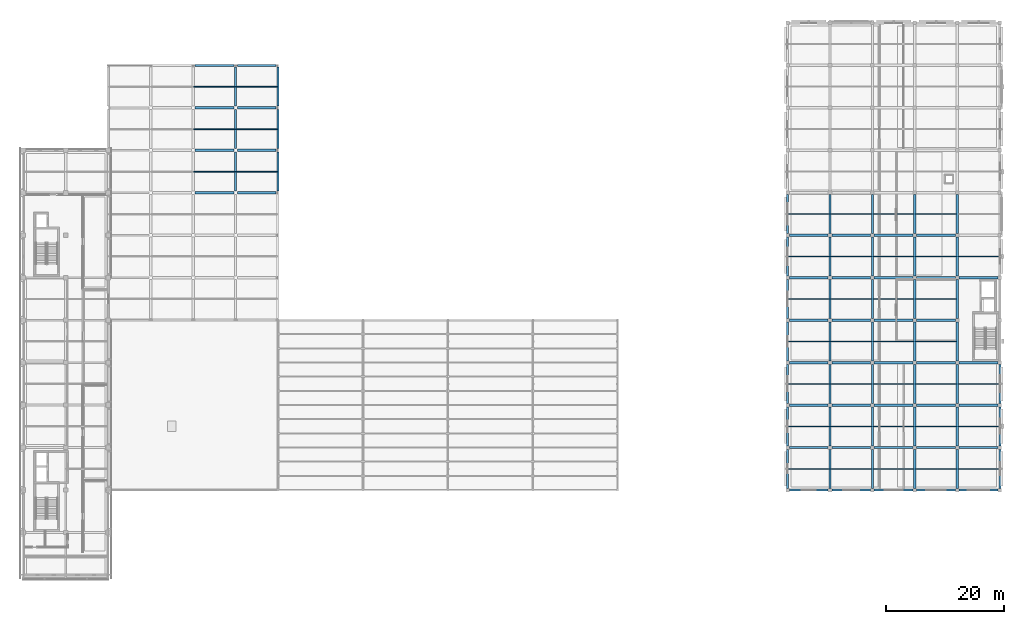
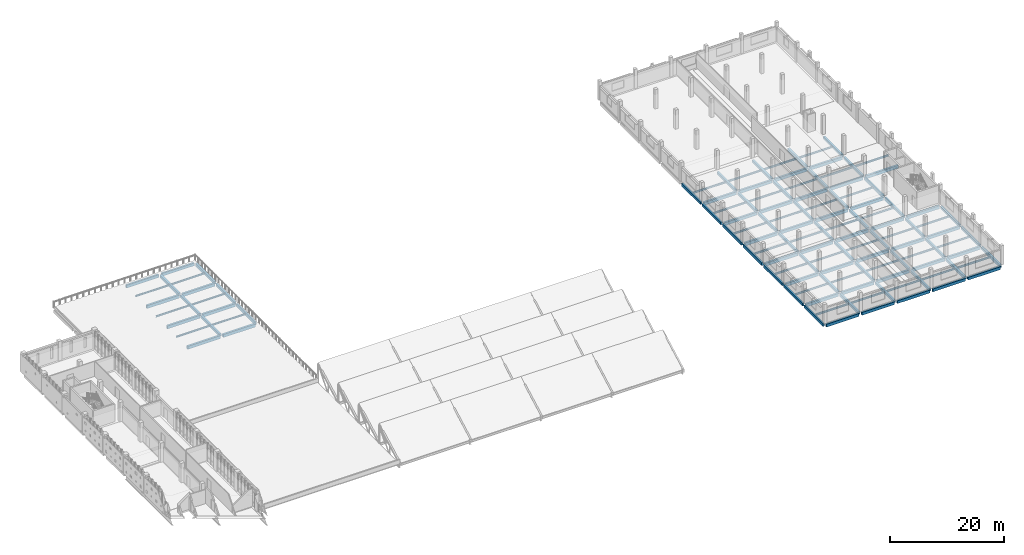
# One storey, part 23 of 51: 123 beams.
"""IFC4 building model written with IfcOpenShell, lengths in metres."""

import ifcopenshell
import ifcopenshell.guid

model = None  # the IFC model being written
_history = None  # IfcOwnerHistory: only IFC2X3 demands one
_inside = {}  # id of a spatial element -> (the spatial element, [elements in it])
_under = {}  # id of a project, library or spatial element -> (it, [spatial elements below it])
_declared = {}  # id of a project -> (the project, [libraries it declares])
_typed = {}  # id of a type object -> (the type object, [elements of that type])
_made_of = {}  # id of a material, layer set ... -> (it, [elements and type objects made of it])


def new_model(schema):
    """Start an empty IFC model of exactly this schema.

    Asked for "IFC4X3", IfcOpenShell would pick the latest addendum, in which some entities
    have other attributes; the version numbers below select the first issue.
    IFC2X3 requires an IfcOwnerHistory on every rooted entity: one is made here for all.
    """
    global model, _history
    if schema == "IFC4X3":
        model = ifcopenshell.file(schema_version=(4, 3, 0, 0))
    else:
        model = ifcopenshell.file(schema=schema)
    _inside.clear()
    _under.clear()
    _declared.clear()
    _typed.clear()
    _made_of.clear()
    _history = None
    if model.schema == "IFC2X3":
        org = make("IfcOrganization", Name="unknown")
        user = make(
            "IfcPersonAndOrganization",
            ThePerson=make("IfcPerson", FamilyName="unknown"),
            TheOrganization=org,
        )
        app = make(
            "IfcApplication",
            ApplicationDeveloper=org,
            Version="unknown",
            ApplicationFullName="unknown",
            ApplicationIdentifier="unknown",
        )
        _history = make(
            "IfcOwnerHistory",
            OwningUser=user,
            OwningApplication=app,
            ChangeAction="ADDED",
            CreationDate=0,
        )
    return model


def make(cls, **values):
    """One entity of the class cls with the attributes given. An attribute that is None is left unset."""
    return model.create_entity(
        cls, **{name: value for name, value in values.items() if value is not None}
    )


def rooted(cls, **values):
    """An entity with a GlobalId (a new one), such as an element, a storey or a relation."""
    return make(cls, GlobalId=ifcopenshell.guid.new(), OwnerHistory=_history, **values)


def si_unit(unit_type, name, prefix=None):
    """IfcSIUnit, for example si_unit("LENGTHUNIT", "METRE", prefix="MILLI")."""
    return make("IfcSIUnit", UnitType=unit_type, Prefix=prefix, Name=name)


def assignment(units):
    """IfcUnitAssignment: the units of a project."""
    return None if units is None else make("IfcUnitAssignment", Units=units)


def point(xyz):
    """IfcCartesianPoint."""
    return None if xyz is None else make("IfcCartesianPoint", Coordinates=xyz)


def direction(xyz):
    """IfcDirection."""
    return None if xyz is None else make("IfcDirection", DirectionRatios=xyz)


def frame(location, z_axis=None, x_axis=None):
    """IfcAxis2Placement3D, a coordinate frame: its origin and axes. An axis left out is left unset."""
    return make(
        "IfcAxis2Placement3D",
        Location=point(location),
        Axis=direction(z_axis),
        RefDirection=direction(x_axis),
    )


def frame_2d(location, x_axis=None):
    """IfcAxis2Placement2D, a coordinate frame in the plane: its origin and x axis."""
    return make(
        "IfcAxis2Placement2D", Location=point(location), RefDirection=direction(x_axis)
    )


def origin():
    """The frame at (0, 0, 0) with its axes left unset."""
    return frame((0.0, 0.0, 0.0))


def origin_2d():
    """The frame at (0, 0) in the plane with its x axis left unset."""
    return frame_2d((0.0, 0.0))


def place(relative_to, where):
    """IfcLocalPlacement: puts the frame where relative to a parent placement (None: the world)."""
    return make(
        "IfcLocalPlacement", PlacementRelTo=relative_to, RelativePlacement=where
    )


def context(
    kind, dimensions, precision=None, world=None, true_north=None, identifier=None
):
    """IfcGeometricRepresentationContext, for example the 3D "Model" context."""
    return make(
        "IfcGeometricRepresentationContext",
        ContextIdentifier=identifier,
        ContextType=kind,
        CoordinateSpaceDimension=dimensions,
        Precision=precision,
        WorldCoordinateSystem=world,
        TrueNorth=true_north,
    )


def subcontext(parent, identifier, kind, view, scale=None):
    """IfcGeometricRepresentationSubContext, for example "Body" below "Model"."""
    return make(
        "IfcGeometricRepresentationSubContext",
        ContextIdentifier=identifier,
        ContextType=kind,
        ParentContext=parent,
        TargetScale=scale,
        TargetView=view,
    )


def project(units=None, contexts=None):
    """IfcProject with its units and contexts."""
    return rooted(
        "IfcProject",
        Name="project",
        RepresentationContexts=contexts,
        UnitsInContext=assignment(units),
    )


def spatial(cls, under=None, at=None, **own):
    """A site, building, storey or space (cls), placed at a placement, below another one or the project."""
    s = rooted(cls, ObjectPlacement=at, **own)
    if under is not None:
        _under.setdefault(under.id(), (under, []))[1].append(s)
    return s


def profile(cls, at=None, kind="AREA", **sizes):
    """A parametric profile (cls). Its sizes go by their IFC names, for example OverallWidth=200.0."""
    return make(cls, ProfileType=kind, Position=at, **sizes)


def rectangle(**sizes):
    """IfcRectangleProfileDef."""
    return profile("IfcRectangleProfileDef", **sizes)


def i_section(**sizes):
    """IfcIShapeProfileDef."""
    return profile("IfcIShapeProfileDef", **sizes)


def extrude(swept, where, along, depth):
    """IfcExtrudedAreaSolid: the profile swept, set in the frame where, extruded along a direction by depth."""
    return make(
        "IfcExtrudedAreaSolid",
        SweptArea=swept,
        Position=where,
        ExtrudedDirection=direction(along),
        Depth=depth,
    )


def shape(context_of_items, identifier, shape_type, items):
    """IfcShapeRepresentation: the items that make up one representation, for example the "Body"."""
    return make(
        "IfcShapeRepresentation",
        ContextOfItems=context_of_items,
        RepresentationIdentifier=identifier,
        RepresentationType=shape_type,
        Items=items,
    )


def material(Name=None, Category=None):
    """IfcMaterial."""
    return make("IfcMaterial", Name=Name, Category=Category)


def material_profile(
    of_material, cross_section, Name=None, Category=None, Priority=None
):
    """IfcMaterialProfile: a cross section and its material."""
    return make(
        "IfcMaterialProfile",
        Name=Name,
        Material=of_material,
        Profile=cross_section,
        Priority=Priority,
        Category=Category,
    )


def profile_set(profiles, Name=None, composite=None):
    """IfcMaterialProfileSet."""
    return make(
        "IfcMaterialProfileSet",
        Name=Name,
        MaterialProfiles=profiles,
        CompositeProfile=composite,
    )


def made_of(thing, what):
    """Note that an element or type object is made of a material, layer set ...; save() writes the relation."""
    if what is not None:
        _made_of.setdefault(what.id(), (what, []))[1].append(thing)
    return thing


def type_object(cls, material=None, **own):
    """A type object (cls), such as IfcWallType, which elements share."""
    return made_of(rooted(cls, **own), material)


def element(
    cls,
    number,
    at=None,
    inside=None,
    cuts=None,
    type_object=None,
    material=None,
    context=None,
    identifier="Body",
    shape_type=None,
    held_by="IfcProductDefinitionShape",
    body=None,
    shapes=None,
    **own,
):
    """One element of the class cls, such as IfcWall. Its Tag is "e" and its number.

    at: its placement. inside: the storey or other place that contains it. cuts: it is an
    opening in that element (IfcRelVoidsElement). A single representation is given by context,
    identifier, shape_type and body (its items); several are given by shapes. held_by: the class
    of the entity that holds the representations. save() writes the other relations.
    """
    e = rooted(cls, Tag="e%d" % number, ObjectPlacement=at, **own)
    if body is not None:
        shapes = [shape(context, identifier, shape_type, body)]
    if shapes is not None:
        e.Representation = make(held_by, Representations=shapes)
    if inside is not None:
        _inside.setdefault(inside.id(), (inside, []))[1].append(e)
    if cuts is not None:
        rooted(
            "IfcRelVoidsElement", RelatingBuildingElement=cuts, RelatedOpeningElement=e
        )
    if type_object is not None:
        _typed.setdefault(type_object.id(), (type_object, []))[1].append(e)
    return made_of(e, material)


def aggregate(whole, parts):
    """IfcRelAggregates: a whole, such as a stair, and the parts it consists of."""
    return rooted("IfcRelAggregates", RelatingObject=whole, RelatedObjects=parts)


def save(model, path):
    """Write the relations noted so far, then the file.

    IfcRelAggregates (storeys below a building ...), IfcRelContainedInSpatialStructure (elements
    in a storey), IfcRelDefinesByType, IfcRelAssociatesMaterial and IfcRelDeclares: one each for
    every whole, place, type object, material and project.
    """
    for whole, parts in _under.values():
        aggregate(whole, parts)
    for where, things in _inside.values():
        rooted(
            "IfcRelContainedInSpatialStructure",
            RelatedElements=things,
            RelatingStructure=where,
        )
    for kind, things in _typed.values():
        rooted("IfcRelDefinesByType", RelatedObjects=things, RelatingType=kind)
    for what, things in _made_of.values():
        rooted("IfcRelAssociatesMaterial", RelatedObjects=things, RelatingMaterial=what)
    for by, libraries in _declared.values():
        rooted("IfcRelDeclares", RelatingContext=by, RelatedDefinitions=libraries)
    model.write(path)


model = new_model("IFC4")

# Units and contexts
model_context = context("Model", 3, precision=1e-05, world=origin(), true_north=direction((0.0, 1.0)))
body_context = subcontext(model_context, "Body", "Model", "MODEL_VIEW")
ifc_project = project(units=[si_unit("LENGTHUNIT", "METRE"), si_unit("AREAUNIT", "SQUARE_METRE"), si_unit("VOLUMEUNIT", "CUBIC_METRE"), si_unit("PLANEANGLEUNIT", "RADIAN"), si_unit("MASSUNIT", "GRAM", prefix="KILO")], contexts=[model_context])

# Site, building, storey
site_placement = place(None, origin())
site = spatial("IfcSite", under=ifc_project, at=site_placement, CompositionType="ELEMENT")
building_placement = place(site_placement, origin())
building = spatial("IfcBuilding", under=site, at=building_placement, Name="Valkovuoma Quantum and Materials Research Institute", CompositionType="ELEMENT")
storey_placement = place(building_placement, frame((0.0, 0.0, 17.280029296875)))
storey = spatial("IfcBuildingStorey", under=building, at=storey_placement, Name="L04", CompositionType="ELEMENT", Elevation=17.280029296875)

# Beams
ifc_material_1 = material(Name="Steel S355J2", Category="steel")
ifc_material_profile_1 = material_profile(ifc_material_1, i_section(OverallWidth=0.169921875, OverallDepth=0.360107421875, WebThickness=0.008056640625, FlangeThickness=0.0126953125, FilletRadius=0.01806640625, at=origin_2d()), Name="Steel S355J2")
ifc_profile_set_1 = profile_set([ifc_material_profile_1], Name="Steel S355J2")
beam_type_1 = type_object("IfcBeamType", Name="Beam-B-JST360", PredefinedType="JOIST", material=ifc_profile_set_1)
for number, where, z_axis, x_axis, name in (
    (1, (28.919921875, 90.0, -0.530029296875), (1.0, 0.0, 0.0), (0.0, 1.0, 0.0), "L04 floor joist 2078"),
    (2, (36.1201171875, 90.0, -0.530029296875), (1.0, 0.0, 0.0), (0.0, 1.0, 0.0), "L04 floor joist 2079"),
    (3, (28.919921875, 97.199951171875, -0.530029296875), (1.0, 0.0, 0.0), (0.0, 1.0, 0.0), "L04 floor joist 2087"),
    (4, (36.1201171875, 97.199951171875, -0.530029296875), (1.0, 0.0, 0.0), (0.0, 1.0, 0.0), "L04 floor joist 2088"),
    (5, (28.919921875, 104.39990234375, -0.530029296875), (1.0, 0.0, 0.0), (0.0, 1.0, 0.0), "L04 floor joist 2096"),
    (6, (36.1201171875, 104.39990234375, -0.530029296875), (1.0, 0.0, 0.0), (0.0, 1.0, 0.0), "L04 floor joist 2097"),
):
    element("IfcBeam", number, at=place(storey_placement, frame(where, z_axis=z_axis, x_axis=x_axis)), inside=storey, type_object=beam_type_1, Name=name, PredefinedType="JOIST", context=body_context, shape_type="SweptSolid", body=[
        extrude(i_section(OverallWidth=0.169921875, OverallDepth=0.360107421875, WebThickness=0.008056640625, FlangeThickness=0.0126953125, FilletRadius=0.01806640625, at=origin_2d()), origin(), (0.0, 0.0, 1.0), 6.9599609375),
    ])
ifc_material_2 = material(Name="Steel S355J2", Category="steel")
ifc_material_profile_2 = material_profile(ifc_material_2, i_section(OverallWidth=0.179931640625, OverallDepth=0.39990234375, WebThickness=0.008544921875, FlangeThickness=0.013427734375, FilletRadius=0.02099609375, at=origin_2d()), Name="Steel S355J2")
ifc_profile_set_2 = profile_set([ifc_material_profile_2], Name="Steel S355J2")
beam_type_2 = type_object("IfcBeamType", Name="Beam-B-JST400", PredefinedType="JOIST", material=ifc_profile_set_2)
for number, where, z_axis, x_axis, name in (
    (7, (129.719970703125, 39.60009765625, -0.550048828125), (1.0, 0.0, 0.0), (0.0, 1.0, 0.0), "L04 floor joist 2021"),
    (8, (136.919921875, 39.60009765625, -0.550048828125), (1.0, 0.0, 0.0), (0.0, 1.0, 0.0), "L04 floor joist 2022"),
    (9, (144.1201171875, 39.60009765625, -0.550048828125), (1.0, 0.0, 0.0), (0.0, 1.0, 0.0), "L04 floor joist 2023"),
    (10, (151.320068359375, 39.60009765625, -0.550048828125), (1.0, 0.0, 0.0), (0.0, 1.0, 0.0), "L04 floor joist 2024"),
    (11, (158.52001953125, 39.60009765625, -0.550048828125), (1.0, 0.0, 0.0), (0.0, 1.0, 0.0), "L04 floor joist 2025"),
    (12, (129.719970703125, 46.800048828125, -0.550048828125), (1.0, 0.0, 0.0), (0.0, 1.0, 0.0), "L04 floor joist 2028"),
    (13, (136.919921875, 46.800048828125, -0.550048828125), (1.0, 0.0, 0.0), (0.0, 1.0, 0.0), "L04 floor joist 2029"),
    (14, (144.1201171875, 46.800048828125, -0.550048828125), (1.0, 0.0, 0.0), (0.0, 1.0, 0.0), "L04 floor joist 2030"),
    (15, (151.320068359375, 46.800048828125, -0.550048828125), (1.0, 0.0, 0.0), (0.0, 1.0, 0.0), "L04 floor joist 2031"),
    (16, (158.52001953125, 46.800048828125, -0.550048828125), (1.0, 0.0, 0.0), (0.0, 1.0, 0.0), "L04 floor joist 2032"),
    (17, (129.719970703125, 54.0, -0.550048828125), (1.0, 0.0, 0.0), (0.0, 1.0, 0.0), "L04 floor joist 2035"),
    (18, (136.919921875, 54.0, -0.550048828125), (1.0, 0.0, 0.0), (0.0, 1.0, 0.0), "L04 floor joist 2036"),
    (19, (144.1201171875, 54.0, -0.550048828125), (1.0, 0.0, 0.0), (0.0, 1.0, 0.0), "L04 floor joist 2037"),
    (20, (151.320068359375, 54.0, -0.550048828125), (1.0, 0.0, 0.0), (0.0, 1.0, 0.0), "L04 floor joist 2038"),
    (21, (158.52001953125, 54.0, -0.550048828125), (1.0, 0.0, 0.0), (0.0, 1.0, 0.0), "L04 floor joist 2039"),
    (22, (129.719970703125, 61.199951171875, -0.550048828125), (1.0, 0.0, 0.0), (0.0, 1.0, 0.0), "L04 floor joist 2042"),
    (23, (136.919921875, 61.199951171875, -0.550048828125), (1.0, 0.0, 0.0), (0.0, 1.0, 0.0), "L04 floor joist 2043"),
    (24, (144.1201171875, 61.199951171875, -0.550048828125), (1.0, 0.0, 0.0), (0.0, 1.0, 0.0), "L04 floor joist 2044"),
    (25, (151.320068359375, 61.199951171875, -0.550048828125), (1.0, 0.0, 0.0), (0.0, 1.0, 0.0), "L04 floor joist 2045"),
    (26, (129.719970703125, 68.39990234375, -0.550048828125), (1.0, 0.0, 0.0), (0.0, 1.0, 0.0), "L04 floor joist 2052"),
    (27, (136.919921875, 68.39990234375, -0.550048828125), (1.0, 0.0, 0.0), (0.0, 1.0, 0.0), "L04 floor joist 2053"),
    (28, (144.1201171875, 68.39990234375, -0.550048828125), (1.0, 0.0, 0.0), (0.0, 1.0, 0.0), "L04 floor joist 2054"),
    (29, (151.320068359375, 68.39990234375, -0.550048828125), (1.0, 0.0, 0.0), (0.0, 1.0, 0.0), "L04 floor joist 2055"),
    (30, (129.719970703125, 75.60009765625, -0.550048828125), (1.0, 0.0, 0.0), (0.0, 1.0, 0.0), "L04 floor joist 2060"),
    (31, (136.919921875, 75.60009765625, -0.550048828125), (1.0, 0.0, 0.0), (0.0, 1.0, 0.0), "L04 floor joist 2061"),
    (32, (144.1201171875, 75.60009765625, -0.550048828125), (1.0, 0.0, 0.0), (0.0, 1.0, 0.0), "L04 floor joist 2062"),
    (33, (151.320068359375, 75.60009765625, -0.550048828125), (1.0, 0.0, 0.0), (0.0, 1.0, 0.0), "L04 floor joist 2063"),
    (34, (158.52001953125, 75.60009765625, -0.550048828125), (1.0, 0.0, 0.0), (0.0, 1.0, 0.0), "L04 floor joist 2064"),
    (35, (129.719970703125, 82.800048828125, -0.550048828125), (1.0, 0.0, 0.0), (0.0, 1.0, 0.0), "L04 floor joist 2069"),
    (36, (136.919921875, 82.800048828125, -0.550048828125), (1.0, 0.0, 0.0), (0.0, 1.0, 0.0), "L04 floor joist 2070"),
    (37, (144.1201171875, 82.800048828125, -0.550048828125), (1.0, 0.0, 0.0), (0.0, 1.0, 0.0), "L04 floor joist 2071"),
    (38, (151.320068359375, 82.800048828125, -0.550048828125), (1.0, 0.0, 0.0), (0.0, 1.0, 0.0), "L04 floor joist 2072"),
):
    element("IfcBeam", number, at=place(storey_placement, frame(where, z_axis=z_axis, x_axis=x_axis)), inside=storey, type_object=beam_type_2, Name=name, PredefinedType="JOIST", context=body_context, shape_type="SweptSolid", body=[
        extrude(i_section(OverallWidth=0.179931640625, OverallDepth=0.39990234375, WebThickness=0.008544921875, FlangeThickness=0.013427734375, FilletRadius=0.02099609375, at=origin_2d()), origin(), (0.0, 0.0, 1.0), 6.9599609375),
    ])
ifc_material_3 = material(Name="Concrete C40/50", Category="concrete")
ifc_material_profile_3 = material_profile(ifc_material_3, rectangle(XDim=0.39990234375, YDim=0.550048828125, at=origin_2d()), Name="Concrete C40/50")
ifc_profile_set_3 = profile_set([ifc_material_profile_3], Name="Concrete C40/50")
beam_type_3 = type_object("IfcBeamType", Name="Beam-B-RC550", PredefinedType="BEAM", material=ifc_profile_set_3)
for number, where, z_axis, x_axis, name in (
    (39, (36.0, 86.699951171875, -0.625), (0.0, 1.0, 0.0), (-1.0, 0.0, 0.0), "L04 beam Y-1947"),
    (40, (36.0, 93.89990234375, -0.625), (0.0, 1.0, 0.0), (-1.0, 0.0, 0.0), "L04 beam Y-1948"),
):
    element("IfcBeam", number, at=place(storey_placement, frame(where, z_axis=z_axis, x_axis=x_axis)), inside=storey, type_object=beam_type_3, Name=name, PredefinedType="BEAM", context=body_context, shape_type="SweptSolid", body=[
        extrude(rectangle(XDim=0.39990234375, YDim=0.550048828125, at=origin_2d()), origin(), (0.0, 0.0, 1.0), 6.60009765625),
    ])
for number, where, z_axis, x_axis, name in (
    (41, (36.0, 101.10009765625, -0.625), (0.0, 1.0, 0.0), (-1.0, 0.0, 0.0), "L04 beam Y-1949"),
    (42, (136.800048828125, 36.300048828125, -0.625), (0.0, 1.0, 0.0), (-1.0, 0.0, 0.0), "L04 beam Y-1967"),
):
    element("IfcBeam", number, at=place(storey_placement, frame(where, z_axis=z_axis, x_axis=x_axis)), inside=storey, type_object=beam_type_3, Name=name, PredefinedType="BEAM", context=body_context, shape_type="SweptSolid", body=[
        extrude(rectangle(XDim=0.39990234375, YDim=0.550048828125, at=origin_2d()), origin(), (0.0, 0.0, 1.0), 6.599853515625),
    ])
for number, where, z_axis, x_axis, name in (
    (43, (136.800048828125, 43.5, -0.625), (0.0, 1.0, 0.0), (-1.0, 0.0, 0.0), "L04 beam Y-1968"),
    (44, (136.800048828125, 50.699951171875, -0.625), (0.0, 1.0, 0.0), (-1.0, 0.0, 0.0), "L04 beam Y-1969"),
    (45, (136.800048828125, 57.89990234375, -0.625), (0.0, 1.0, 0.0), (-1.0, 0.0, 0.0), "L04 beam Y-1970"),
):
    element("IfcBeam", number, at=place(storey_placement, frame(where, z_axis=z_axis, x_axis=x_axis)), inside=storey, type_object=beam_type_3, Name=name, PredefinedType="BEAM", context=body_context, shape_type="SweptSolid", body=[
        extrude(rectangle(XDim=0.39990234375, YDim=0.550048828125, at=origin_2d()), origin(), (0.0, 0.0, 1.0), 6.60009765625),
    ])
for number, where, z_axis, x_axis, name in (
    (46, (136.800048828125, 65.10009765625, -0.625), (0.0, 1.0, 0.0), (-1.0, 0.0, 0.0), "L04 beam Y-1971"),
    (47, (136.800048828125, 72.300048828125, -0.625), (0.0, 1.0, 0.0), (-1.0, 0.0, 0.0), "L04 beam Y-1972"),
):
    element("IfcBeam", number, at=place(storey_placement, frame(where, z_axis=z_axis, x_axis=x_axis)), inside=storey, type_object=beam_type_3, Name=name, PredefinedType="BEAM", context=body_context, shape_type="SweptSolid", body=[
        extrude(rectangle(XDim=0.39990234375, YDim=0.550048828125, at=origin_2d()), origin(), (0.0, 0.0, 1.0), 6.599853515625),
    ])
beam_1_placement = place(storey_placement, frame((136.800048828125, 79.5, -0.625), z_axis=(0.0, 1.0, 0.0), x_axis=(-1.0, 0.0, 0.0)))
element("IfcBeam", 48, at=beam_1_placement, inside=storey, type_object=beam_type_3, Name="L04 beam Y-1973", PredefinedType="BEAM", context=body_context, shape_type="SweptSolid", body=[
    extrude(rectangle(XDim=0.39990234375, YDim=0.550048828125, at=origin_2d()), origin(), (0.0, 0.0, 1.0), 6.60009765625),
])
beam_2_placement = place(storey_placement, frame((144.0, 36.300048828125, -0.625), z_axis=(0.0, 1.0, 0.0), x_axis=(-1.0, 0.0, 0.0)))
element("IfcBeam", 49, at=beam_2_placement, inside=storey, type_object=beam_type_3, Name="L04 beam Y-1978", PredefinedType="BEAM", context=body_context, shape_type="SweptSolid", body=[
    extrude(rectangle(XDim=0.39990234375, YDim=0.550048828125, at=origin_2d()), origin(), (0.0, 0.0, 1.0), 6.599853515625),
])
for number, where, z_axis, x_axis, name in (
    (50, (144.0, 43.5, -0.625), (0.0, 1.0, 0.0), (-1.0, 0.0, 0.0), "L04 beam Y-1979"),
    (51, (144.0, 50.699951171875, -0.625), (0.0, 1.0, 0.0), (-1.0, 0.0, 0.0), "L04 beam Y-1980"),
    (52, (144.0, 57.89990234375, -0.625), (0.0, 1.0, 0.0), (-1.0, 0.0, 0.0), "L04 beam Y-1981"),
):
    element("IfcBeam", number, at=place(storey_placement, frame(where, z_axis=z_axis, x_axis=x_axis)), inside=storey, type_object=beam_type_3, Name=name, PredefinedType="BEAM", context=body_context, shape_type="SweptSolid", body=[
        extrude(rectangle(XDim=0.39990234375, YDim=0.550048828125, at=origin_2d()), origin(), (0.0, 0.0, 1.0), 6.60009765625),
    ])
for number, where, z_axis, x_axis, name in (
    (53, (144.0, 65.10009765625, -0.625), (0.0, 1.0, 0.0), (-1.0, 0.0, 0.0), "L04 beam Y-1982"),
    (54, (144.0, 72.300048828125, -0.625), (0.0, 1.0, 0.0), (-1.0, 0.0, 0.0), "L04 beam Y-1983"),
):
    element("IfcBeam", number, at=place(storey_placement, frame(where, z_axis=z_axis, x_axis=x_axis)), inside=storey, type_object=beam_type_3, Name=name, PredefinedType="BEAM", context=body_context, shape_type="SweptSolid", body=[
        extrude(rectangle(XDim=0.39990234375, YDim=0.550048828125, at=origin_2d()), origin(), (0.0, 0.0, 1.0), 6.599853515625),
    ])
beam_3_placement = place(storey_placement, frame((144.0, 79.5, -0.625), z_axis=(0.0, 1.0, 0.0), x_axis=(-1.0, 0.0, 0.0)))
element("IfcBeam", 55, at=beam_3_placement, inside=storey, type_object=beam_type_3, Name="L04 beam Y-1984", PredefinedType="BEAM", context=body_context, shape_type="SweptSolid", body=[
    extrude(rectangle(XDim=0.39990234375, YDim=0.550048828125, at=origin_2d()), origin(), (0.0, 0.0, 1.0), 6.60009765625),
])
beam_4_placement = place(storey_placement, frame((151.199951171875, 36.300048828125, -0.625), z_axis=(0.0, 1.0, 0.0), x_axis=(-1.0, 0.0, 0.0)))
element("IfcBeam", 56, at=beam_4_placement, inside=storey, type_object=beam_type_3, Name="L04 beam Y-1989", PredefinedType="BEAM", context=body_context, shape_type="SweptSolid", body=[
    extrude(rectangle(XDim=0.39990234375, YDim=0.550048828125, at=origin_2d()), origin(), (0.0, 0.0, 1.0), 6.599853515625),
])
for number, where, z_axis, x_axis, name in (
    (57, (151.199951171875, 43.5, -0.625), (0.0, 1.0, 0.0), (-1.0, 0.0, 0.0), "L04 beam Y-1990"),
    (58, (151.199951171875, 50.699951171875, -0.625), (0.0, 1.0, 0.0), (-1.0, 0.0, 0.0), "L04 beam Y-1991"),
    (59, (151.199951171875, 57.89990234375, -0.625), (0.0, 1.0, 0.0), (-1.0, 0.0, 0.0), "L04 beam Y-1992"),
):
    element("IfcBeam", number, at=place(storey_placement, frame(where, z_axis=z_axis, x_axis=x_axis)), inside=storey, type_object=beam_type_3, Name=name, PredefinedType="BEAM", context=body_context, shape_type="SweptSolid", body=[
        extrude(rectangle(XDim=0.39990234375, YDim=0.550048828125, at=origin_2d()), origin(), (0.0, 0.0, 1.0), 6.60009765625),
    ])
for number, where, z_axis, x_axis, name in (
    (60, (151.199951171875, 65.10009765625, -0.625), (0.0, 1.0, 0.0), (-1.0, 0.0, 0.0), "L04 beam Y-1993"),
    (61, (151.199951171875, 72.300048828125, -0.625), (0.0, 1.0, 0.0), (-1.0, 0.0, 0.0), "L04 beam Y-1994"),
):
    element("IfcBeam", number, at=place(storey_placement, frame(where, z_axis=z_axis, x_axis=x_axis)), inside=storey, type_object=beam_type_3, Name=name, PredefinedType="BEAM", context=body_context, shape_type="SweptSolid", body=[
        extrude(rectangle(XDim=0.39990234375, YDim=0.550048828125, at=origin_2d()), origin(), (0.0, 0.0, 1.0), 6.599853515625),
    ])
beam_5_placement = place(storey_placement, frame((151.199951171875, 79.5, -0.625), z_axis=(0.0, 1.0, 0.0), x_axis=(-1.0, 0.0, 0.0)))
element("IfcBeam", 62, at=beam_5_placement, inside=storey, type_object=beam_type_3, Name="L04 beam Y-1995", PredefinedType="BEAM", context=body_context, shape_type="SweptSolid", body=[
    extrude(rectangle(XDim=0.39990234375, YDim=0.550048828125, at=origin_2d()), origin(), (0.0, 0.0, 1.0), 6.60009765625),
])
beam_6_placement = place(storey_placement, frame((158.39990234375, 36.300048828125, -0.625), z_axis=(0.0, 1.0, 0.0), x_axis=(-1.0, 0.0, 0.0)))
element("IfcBeam", 63, at=beam_6_placement, inside=storey, type_object=beam_type_3, Name="L04 beam Y-2000", PredefinedType="BEAM", context=body_context, shape_type="SweptSolid", body=[
    extrude(rectangle(XDim=0.39990234375, YDim=0.550048828125, at=origin_2d()), origin(), (0.0, 0.0, 1.0), 6.599853515625),
])
for number, where, z_axis, x_axis, name in (
    (64, (158.39990234375, 43.5, -0.625), (0.0, 1.0, 0.0), (-1.0, 0.0, 0.0), "L04 beam Y-2001"),
    (65, (158.39990234375, 50.699951171875, -0.625), (0.0, 1.0, 0.0), (-1.0, 0.0, 0.0), "L04 beam Y-2002"),
    (66, (158.39990234375, 57.89990234375, -0.625), (0.0, 1.0, 0.0), (-1.0, 0.0, 0.0), "L04 beam Y-2003"),
):
    element("IfcBeam", number, at=place(storey_placement, frame(where, z_axis=z_axis, x_axis=x_axis)), inside=storey, type_object=beam_type_3, Name=name, PredefinedType="BEAM", context=body_context, shape_type="SweptSolid", body=[
        extrude(rectangle(XDim=0.39990234375, YDim=0.550048828125, at=origin_2d()), origin(), (0.0, 0.0, 1.0), 6.60009765625),
    ])
for number, where, z_axis, x_axis, name in (
    (67, (158.39990234375, 65.10009765625, -0.625), (0.0, 1.0, 0.0), (-1.0, 0.0, 0.0), "L04 beam Y-2004"),
    (68, (158.39990234375, 72.300048828125, -0.625), (0.0, 1.0, 0.0), (-1.0, 0.0, 0.0), "L04 beam Y-2005"),
):
    element("IfcBeam", number, at=place(storey_placement, frame(where, z_axis=z_axis, x_axis=x_axis)), inside=storey, type_object=beam_type_3, Name=name, PredefinedType="BEAM", context=body_context, shape_type="SweptSolid", body=[
        extrude(rectangle(XDim=0.39990234375, YDim=0.550048828125, at=origin_2d()), origin(), (0.0, 0.0, 1.0), 6.599853515625),
    ])
beam_7_placement = place(storey_placement, frame((158.39990234375, 79.5, -0.625), z_axis=(0.0, 1.0, 0.0), x_axis=(-1.0, 0.0, 0.0)))
element("IfcBeam", 69, at=beam_7_placement, inside=storey, type_object=beam_type_3, Name="L04 beam Y-2006", PredefinedType="BEAM", context=body_context, shape_type="SweptSolid", body=[
    extrude(rectangle(XDim=0.39990234375, YDim=0.550048828125, at=origin_2d()), origin(), (0.0, 0.0, 1.0), 6.60009765625),
])
ifc_material_4 = material(Name="Concrete C40/50", Category="concrete")
ifc_material_profile_4 = material_profile(ifc_material_4, rectangle(XDim=0.39990234375, YDim=0.64990234375, at=origin_2d()), Name="Concrete C40/50")
ifc_profile_set_4 = profile_set([ifc_material_profile_4], Name="Concrete C40/50")
beam_type_4 = type_object("IfcBeamType", Name="Beam-B-RC650", PredefinedType="BEAM", material=ifc_profile_set_4)
beam_8_placement = place(storey_placement, frame((129.89990234375, 43.199951171875, -0.675048828125), z_axis=(1.0, 0.0, 0.0), x_axis=(0.0, 1.0, 0.0)))
element("IfcBeam", 70, at=beam_8_placement, inside=storey, type_object=beam_type_4, Name="L04 beam X-1823", PredefinedType="BEAM", context=body_context, shape_type="SweptSolid", body=[
    extrude(rectangle(XDim=0.39990234375, YDim=0.64990234375, at=origin_2d()), origin(), (0.0, 0.0, 1.0), 6.60009765625),
])
for number, where, z_axis, x_axis, name in (
    (71, (137.10009765625, 43.199951171875, -0.675048828125), (1.0, 0.0, 0.0), (0.0, 1.0, 0.0), "L04 beam X-1824"),
    (72, (144.300048828125, 43.199951171875, -0.675048828125), (1.0, 0.0, 0.0), (0.0, 1.0, 0.0), "L04 beam X-1825"),
):
    element("IfcBeam", number, at=place(storey_placement, frame(where, z_axis=z_axis, x_axis=x_axis)), inside=storey, type_object=beam_type_4, Name=name, PredefinedType="BEAM", context=body_context, shape_type="SweptSolid", body=[
        extrude(rectangle(XDim=0.39990234375, YDim=0.64990234375, at=origin_2d()), origin(), (0.0, 0.0, 1.0), 6.599853515625),
    ])
for number, where, z_axis, x_axis, name in (
    (73, (151.5, 43.199951171875, -0.675048828125), (1.0, 0.0, 0.0), (0.0, 1.0, 0.0), "L04 beam X-1826"),
    (74, (158.699951171875, 43.199951171875, -0.675048828125), (1.0, 0.0, 0.0), (0.0, 1.0, 0.0), "L04 beam X-1827"),
    (75, (129.89990234375, 50.39990234375, -0.675048828125), (1.0, 0.0, 0.0), (0.0, 1.0, 0.0), "L04 beam X-1830"),
):
    element("IfcBeam", number, at=place(storey_placement, frame(where, z_axis=z_axis, x_axis=x_axis)), inside=storey, type_object=beam_type_4, Name=name, PredefinedType="BEAM", context=body_context, shape_type="SweptSolid", body=[
        extrude(rectangle(XDim=0.39990234375, YDim=0.64990234375, at=origin_2d()), origin(), (0.0, 0.0, 1.0), 6.60009765625),
    ])
for number, where, z_axis, x_axis, name in (
    (76, (137.10009765625, 50.39990234375, -0.675048828125), (1.0, 0.0, 0.0), (0.0, 1.0, 0.0), "L04 beam X-1831"),
    (77, (144.300048828125, 50.39990234375, -0.675048828125), (1.0, 0.0, 0.0), (0.0, 1.0, 0.0), "L04 beam X-1832"),
):
    element("IfcBeam", number, at=place(storey_placement, frame(where, z_axis=z_axis, x_axis=x_axis)), inside=storey, type_object=beam_type_4, Name=name, PredefinedType="BEAM", context=body_context, shape_type="SweptSolid", body=[
        extrude(rectangle(XDim=0.39990234375, YDim=0.64990234375, at=origin_2d()), origin(), (0.0, 0.0, 1.0), 6.599853515625),
    ])
for number, where, z_axis, x_axis, name in (
    (78, (151.5, 50.39990234375, -0.675048828125), (1.0, 0.0, 0.0), (0.0, 1.0, 0.0), "L04 beam X-1833"),
    (79, (158.699951171875, 50.39990234375, -0.675048828125), (1.0, 0.0, 0.0), (0.0, 1.0, 0.0), "L04 beam X-1834"),
    (80, (129.89990234375, 57.60009765625, -0.675048828125), (1.0, 0.0, 0.0), (0.0, 1.0, 0.0), "L04 beam X-1837"),
):
    element("IfcBeam", number, at=place(storey_placement, frame(where, z_axis=z_axis, x_axis=x_axis)), inside=storey, type_object=beam_type_4, Name=name, PredefinedType="BEAM", context=body_context, shape_type="SweptSolid", body=[
        extrude(rectangle(XDim=0.39990234375, YDim=0.64990234375, at=origin_2d()), origin(), (0.0, 0.0, 1.0), 6.60009765625),
    ])
for number, where, z_axis, x_axis, name in (
    (81, (137.10009765625, 57.60009765625, -0.675048828125), (1.0, 0.0, 0.0), (0.0, 1.0, 0.0), "L04 beam X-1838"),
    (82, (144.300048828125, 57.60009765625, -0.675048828125), (1.0, 0.0, 0.0), (0.0, 1.0, 0.0), "L04 beam X-1839"),
):
    element("IfcBeam", number, at=place(storey_placement, frame(where, z_axis=z_axis, x_axis=x_axis)), inside=storey, type_object=beam_type_4, Name=name, PredefinedType="BEAM", context=body_context, shape_type="SweptSolid", body=[
        extrude(rectangle(XDim=0.39990234375, YDim=0.64990234375, at=origin_2d()), origin(), (0.0, 0.0, 1.0), 6.599853515625),
    ])
for number, where, z_axis, x_axis, name in (
    (83, (151.5, 57.60009765625, -0.675048828125), (1.0, 0.0, 0.0), (0.0, 1.0, 0.0), "L04 beam X-1840"),
    (84, (158.699951171875, 57.60009765625, -0.675048828125), (1.0, 0.0, 0.0), (0.0, 1.0, 0.0), "L04 beam X-1841"),
    (85, (129.89990234375, 64.800048828125, -0.675048828125), (1.0, 0.0, 0.0), (0.0, 1.0, 0.0), "L04 beam X-1848"),
):
    element("IfcBeam", number, at=place(storey_placement, frame(where, z_axis=z_axis, x_axis=x_axis)), inside=storey, type_object=beam_type_4, Name=name, PredefinedType="BEAM", context=body_context, shape_type="SweptSolid", body=[
        extrude(rectangle(XDim=0.39990234375, YDim=0.64990234375, at=origin_2d()), origin(), (0.0, 0.0, 1.0), 6.60009765625),
    ])
for number, where, z_axis, x_axis, name in (
    (86, (137.10009765625, 64.800048828125, -0.675048828125), (1.0, 0.0, 0.0), (0.0, 1.0, 0.0), "L04 beam X-1849"),
    (87, (144.300048828125, 64.800048828125, -0.675048828125), (1.0, 0.0, 0.0), (0.0, 1.0, 0.0), "L04 beam X-1850"),
):
    element("IfcBeam", number, at=place(storey_placement, frame(where, z_axis=z_axis, x_axis=x_axis)), inside=storey, type_object=beam_type_4, Name=name, PredefinedType="BEAM", context=body_context, shape_type="SweptSolid", body=[
        extrude(rectangle(XDim=0.39990234375, YDim=0.64990234375, at=origin_2d()), origin(), (0.0, 0.0, 1.0), 6.599853515625),
    ])
for number, where, z_axis, x_axis, name in (
    (88, (151.5, 64.800048828125, -0.675048828125), (1.0, 0.0, 0.0), (0.0, 1.0, 0.0), "L04 beam X-1851"),
    (89, (129.89990234375, 72.0, -0.675048828125), (1.0, 0.0, 0.0), (0.0, 1.0, 0.0), "L04 beam X-1858"),
):
    element("IfcBeam", number, at=place(storey_placement, frame(where, z_axis=z_axis, x_axis=x_axis)), inside=storey, type_object=beam_type_4, Name=name, PredefinedType="BEAM", context=body_context, shape_type="SweptSolid", body=[
        extrude(rectangle(XDim=0.39990234375, YDim=0.64990234375, at=origin_2d()), origin(), (0.0, 0.0, 1.0), 6.60009765625),
    ])
for number, where, z_axis, x_axis, name in (
    (90, (137.10009765625, 72.0, -0.675048828125), (1.0, 0.0, 0.0), (0.0, 1.0, 0.0), "L04 beam X-1859"),
    (91, (144.300048828125, 72.0, -0.675048828125), (1.0, 0.0, 0.0), (0.0, 1.0, 0.0), "L04 beam X-1860"),
):
    element("IfcBeam", number, at=place(storey_placement, frame(where, z_axis=z_axis, x_axis=x_axis)), inside=storey, type_object=beam_type_4, Name=name, PredefinedType="BEAM", context=body_context, shape_type="SweptSolid", body=[
        extrude(rectangle(XDim=0.39990234375, YDim=0.64990234375, at=origin_2d()), origin(), (0.0, 0.0, 1.0), 6.599853515625),
    ])
for number, where, z_axis, x_axis, name in (
    (92, (151.5, 72.0, -0.675048828125), (1.0, 0.0, 0.0), (0.0, 1.0, 0.0), "L04 beam X-1861"),
    (93, (158.699951171875, 72.0, -0.675048828125), (1.0, 0.0, 0.0), (0.0, 1.0, 0.0), "L04 beam X-1862"),
    (94, (129.89990234375, 79.199951171875, -0.675048828125), (1.0, 0.0, 0.0), (0.0, 1.0, 0.0), "L04 beam X-1867"),
):
    element("IfcBeam", number, at=place(storey_placement, frame(where, z_axis=z_axis, x_axis=x_axis)), inside=storey, type_object=beam_type_4, Name=name, PredefinedType="BEAM", context=body_context, shape_type="SweptSolid", body=[
        extrude(rectangle(XDim=0.39990234375, YDim=0.64990234375, at=origin_2d()), origin(), (0.0, 0.0, 1.0), 6.60009765625),
    ])
for number, where, z_axis, x_axis, name in (
    (95, (137.10009765625, 79.199951171875, -0.675048828125), (1.0, 0.0, 0.0), (0.0, 1.0, 0.0), "L04 beam X-1868"),
    (96, (144.300048828125, 79.199951171875, -0.675048828125), (1.0, 0.0, 0.0), (0.0, 1.0, 0.0), "L04 beam X-1869"),
):
    element("IfcBeam", number, at=place(storey_placement, frame(where, z_axis=z_axis, x_axis=x_axis)), inside=storey, type_object=beam_type_4, Name=name, PredefinedType="BEAM", context=body_context, shape_type="SweptSolid", body=[
        extrude(rectangle(XDim=0.39990234375, YDim=0.64990234375, at=origin_2d()), origin(), (0.0, 0.0, 1.0), 6.599853515625),
    ])
beam_9_placement = place(storey_placement, frame((151.5, 79.199951171875, -0.675048828125), z_axis=(1.0, 0.0, 0.0), x_axis=(0.0, 1.0, 0.0)))
element("IfcBeam", 97, at=beam_9_placement, inside=storey, type_object=beam_type_4, Name="L04 beam X-1870", PredefinedType="BEAM", context=body_context, shape_type="SweptSolid", body=[
    extrude(rectangle(XDim=0.39990234375, YDim=0.64990234375, at=origin_2d()), origin(), (0.0, 0.0, 1.0), 6.60009765625),
])
for number, where, z_axis, x_axis, name in (
    (98, (29.10009765625, 86.39990234375, -0.675048828125), (1.0, 0.0, 0.0), (0.0, 1.0, 0.0), "L04 beam X-1876"),
    (99, (36.300048828125, 86.39990234375, -0.675048828125), (1.0, 0.0, 0.0), (0.0, 1.0, 0.0), "L04 beam X-1877"),
    (100, (29.10009765625, 93.60009765625, -0.675048828125), (1.0, 0.0, 0.0), (0.0, 1.0, 0.0), "L04 beam X-1887"),
    (101, (36.300048828125, 93.60009765625, -0.675048828125), (1.0, 0.0, 0.0), (0.0, 1.0, 0.0), "L04 beam X-1888"),
    (102, (29.10009765625, 100.800048828125, -0.675048828125), (1.0, 0.0, 0.0), (0.0, 1.0, 0.0), "L04 beam X-1896"),
    (103, (36.300048828125, 100.800048828125, -0.675048828125), (1.0, 0.0, 0.0), (0.0, 1.0, 0.0), "L04 beam X-1897"),
):
    element("IfcBeam", number, at=place(storey_placement, frame(where, z_axis=z_axis, x_axis=x_axis)), inside=storey, type_object=beam_type_4, Name=name, PredefinedType="BEAM", context=body_context, shape_type="SweptSolid", body=[
        extrude(rectangle(XDim=0.39990234375, YDim=0.64990234375, at=origin_2d()), origin(), (0.0, 0.0, 1.0), 6.599853515625),
    ])
ifc_material_5 = material(Name="Concrete C40/50", Category="concrete")
ifc_material_profile_5 = material_profile(ifc_material_5, rectangle(XDim=0.35009765625, YDim=0.60009765625, at=origin_2d()), Name="Concrete C40/50")
ifc_profile_set_5 = profile_set([ifc_material_profile_5], Name="Concrete C40/50")
beam_type_5 = type_object("IfcBeamType", Name="Beam-B-SPN600", PredefinedType="SPANDREL", material=ifc_profile_set_5)
beam_10_placement = place(storey_placement, frame((129.89990234375, 36.0, -0.650146484375), z_axis=(1.0, 0.0, 0.0), x_axis=(0.0, 1.0, 0.0)))
element("IfcBeam", 104, at=beam_10_placement, inside=storey, type_object=beam_type_5, Name="L04 beam X-1816", PredefinedType="SPANDREL", context=body_context, shape_type="SweptSolid", body=[
    extrude(rectangle(XDim=0.35009765625, YDim=0.60009765625, at=origin_2d()), origin(), (0.0, 0.0, 1.0), 6.60009765625),
])
for number, where, z_axis, x_axis, name in (
    (105, (137.10009765625, 36.0, -0.650146484375), (1.0, 0.0, 0.0), (0.0, 1.0, 0.0), "L04 beam X-1817"),
    (106, (144.300048828125, 36.0, -0.650146484375), (1.0, 0.0, 0.0), (0.0, 1.0, 0.0), "L04 beam X-1818"),
):
    element("IfcBeam", number, at=place(storey_placement, frame(where, z_axis=z_axis, x_axis=x_axis)), inside=storey, type_object=beam_type_5, Name=name, PredefinedType="SPANDREL", context=body_context, shape_type="SweptSolid", body=[
        extrude(rectangle(XDim=0.35009765625, YDim=0.60009765625, at=origin_2d()), origin(), (0.0, 0.0, 1.0), 6.599853515625),
    ])
for number, where, z_axis, x_axis, name in (
    (107, (151.5, 36.0, -0.650146484375), (1.0, 0.0, 0.0), (0.0, 1.0, 0.0), "L04 beam X-1819"),
    (108, (158.699951171875, 36.0, -0.650146484375), (1.0, 0.0, 0.0), (0.0, 1.0, 0.0), "L04 beam X-1820"),
):
    element("IfcBeam", number, at=place(storey_placement, frame(where, z_axis=z_axis, x_axis=x_axis)), inside=storey, type_object=beam_type_5, Name=name, PredefinedType="SPANDREL", context=body_context, shape_type="SweptSolid", body=[
        extrude(rectangle(XDim=0.35009765625, YDim=0.60009765625, at=origin_2d()), origin(), (0.0, 0.0, 1.0), 6.60009765625),
    ])
for number, where, z_axis, x_axis, name in (
    (109, (29.10009765625, 108.0, -0.650146484375), (1.0, 0.0, 0.0), (0.0, 1.0, 0.0), "L04 beam X-1905"),
    (110, (36.300048828125, 108.0, -0.650146484375), (1.0, 0.0, 0.0), (0.0, 1.0, 0.0), "L04 beam X-1906"),
):
    element("IfcBeam", number, at=place(storey_placement, frame(where, z_axis=z_axis, x_axis=x_axis)), inside=storey, type_object=beam_type_5, Name=name, PredefinedType="SPANDREL", context=body_context, shape_type="SweptSolid", body=[
        extrude(rectangle(XDim=0.35009765625, YDim=0.60009765625, at=origin_2d()), origin(), (0.0, 0.0, 1.0), 6.599853515625),
    ])
for number, where, z_axis, x_axis, name in (
    (111, (43.199951171875, 86.699951171875, -0.650146484375), (0.0, 1.0, 0.0), (-1.0, 0.0, 0.0), "L04 beam Y-1953"),
    (112, (43.199951171875, 93.89990234375, -0.650146484375), (0.0, 1.0, 0.0), (-1.0, 0.0, 0.0), "L04 beam Y-1954"),
):
    element("IfcBeam", number, at=place(storey_placement, frame(where, z_axis=z_axis, x_axis=x_axis)), inside=storey, type_object=beam_type_5, Name=name, PredefinedType="SPANDREL", context=body_context, shape_type="SweptSolid", body=[
        extrude(rectangle(XDim=0.35009765625, YDim=0.60009765625, at=origin_2d()), origin(), (0.0, 0.0, 1.0), 6.60009765625),
    ])
for number, where, z_axis, x_axis, name in (
    (113, (43.199951171875, 101.10009765625, -0.650146484375), (0.0, 1.0, 0.0), (-1.0, 0.0, 0.0), "L04 beam Y-1955"),
    (114, (129.60009765625, 36.300048828125, -0.650146484375), (0.0, 1.0, 0.0), (-1.0, 0.0, 0.0), "L04 beam Y-1956"),
):
    element("IfcBeam", number, at=place(storey_placement, frame(where, z_axis=z_axis, x_axis=x_axis)), inside=storey, type_object=beam_type_5, Name=name, PredefinedType="SPANDREL", context=body_context, shape_type="SweptSolid", body=[
        extrude(rectangle(XDim=0.35009765625, YDim=0.60009765625, at=origin_2d()), origin(), (0.0, 0.0, 1.0), 6.599853515625),
    ])
for number, where, z_axis, x_axis, name in (
    (115, (129.60009765625, 43.5, -0.650146484375), (0.0, 1.0, 0.0), (-1.0, 0.0, 0.0), "L04 beam Y-1957"),
    (116, (129.60009765625, 50.699951171875, -0.650146484375), (0.0, 1.0, 0.0), (-1.0, 0.0, 0.0), "L04 beam Y-1958"),
    (117, (129.60009765625, 57.89990234375, -0.650146484375), (0.0, 1.0, 0.0), (-1.0, 0.0, 0.0), "L04 beam Y-1959"),
):
    element("IfcBeam", number, at=place(storey_placement, frame(where, z_axis=z_axis, x_axis=x_axis)), inside=storey, type_object=beam_type_5, Name=name, PredefinedType="SPANDREL", context=body_context, shape_type="SweptSolid", body=[
        extrude(rectangle(XDim=0.35009765625, YDim=0.60009765625, at=origin_2d()), origin(), (0.0, 0.0, 1.0), 6.60009765625),
    ])
for number, where, z_axis, x_axis, name in (
    (118, (129.60009765625, 65.10009765625, -0.650146484375), (0.0, 1.0, 0.0), (-1.0, 0.0, 0.0), "L04 beam Y-1960"),
    (119, (129.60009765625, 72.300048828125, -0.650146484375), (0.0, 1.0, 0.0), (-1.0, 0.0, 0.0), "L04 beam Y-1961"),
):
    element("IfcBeam", number, at=place(storey_placement, frame(where, z_axis=z_axis, x_axis=x_axis)), inside=storey, type_object=beam_type_5, Name=name, PredefinedType="SPANDREL", context=body_context, shape_type="SweptSolid", body=[
        extrude(rectangle(XDim=0.35009765625, YDim=0.60009765625, at=origin_2d()), origin(), (0.0, 0.0, 1.0), 6.599853515625),
    ])
beam_11_placement = place(storey_placement, frame((129.60009765625, 79.5, -0.650146484375), z_axis=(0.0, 1.0, 0.0), x_axis=(-1.0, 0.0, 0.0)))
element("IfcBeam", 120, at=beam_11_placement, inside=storey, type_object=beam_type_5, Name="L04 beam Y-1962", PredefinedType="SPANDREL", context=body_context, shape_type="SweptSolid", body=[
    extrude(rectangle(XDim=0.35009765625, YDim=0.60009765625, at=origin_2d()), origin(), (0.0, 0.0, 1.0), 6.60009765625),
])
beam_12_placement = place(storey_placement, frame((165.60009765625, 36.300048828125, -0.650146484375), z_axis=(0.0, 1.0, 0.0), x_axis=(-1.0, 0.0, 0.0)))
element("IfcBeam", 121, at=beam_12_placement, inside=storey, type_object=beam_type_5, Name="L04 beam Y-2011", PredefinedType="SPANDREL", context=body_context, shape_type="SweptSolid", body=[
    extrude(rectangle(XDim=0.35009765625, YDim=0.60009765625, at=origin_2d()), origin(), (0.0, 0.0, 1.0), 6.599853515625),
])
for number, where, z_axis, x_axis, name in (
    (122, (165.60009765625, 43.5, -0.650146484375), (0.0, 1.0, 0.0), (-1.0, 0.0, 0.0), "L04 beam Y-2012"),
    (123, (165.60009765625, 50.699951171875, -0.650146484375), (0.0, 1.0, 0.0), (-1.0, 0.0, 0.0), "L04 beam Y-2013"),
):
    element("IfcBeam", number, at=place(storey_placement, frame(where, z_axis=z_axis, x_axis=x_axis)), inside=storey, type_object=beam_type_5, Name=name, PredefinedType="SPANDREL", context=body_context, shape_type="SweptSolid", body=[
        extrude(rectangle(XDim=0.35009765625, YDim=0.60009765625, at=origin_2d()), origin(), (0.0, 0.0, 1.0), 6.60009765625),
    ])

save(model, "model.ifc")
